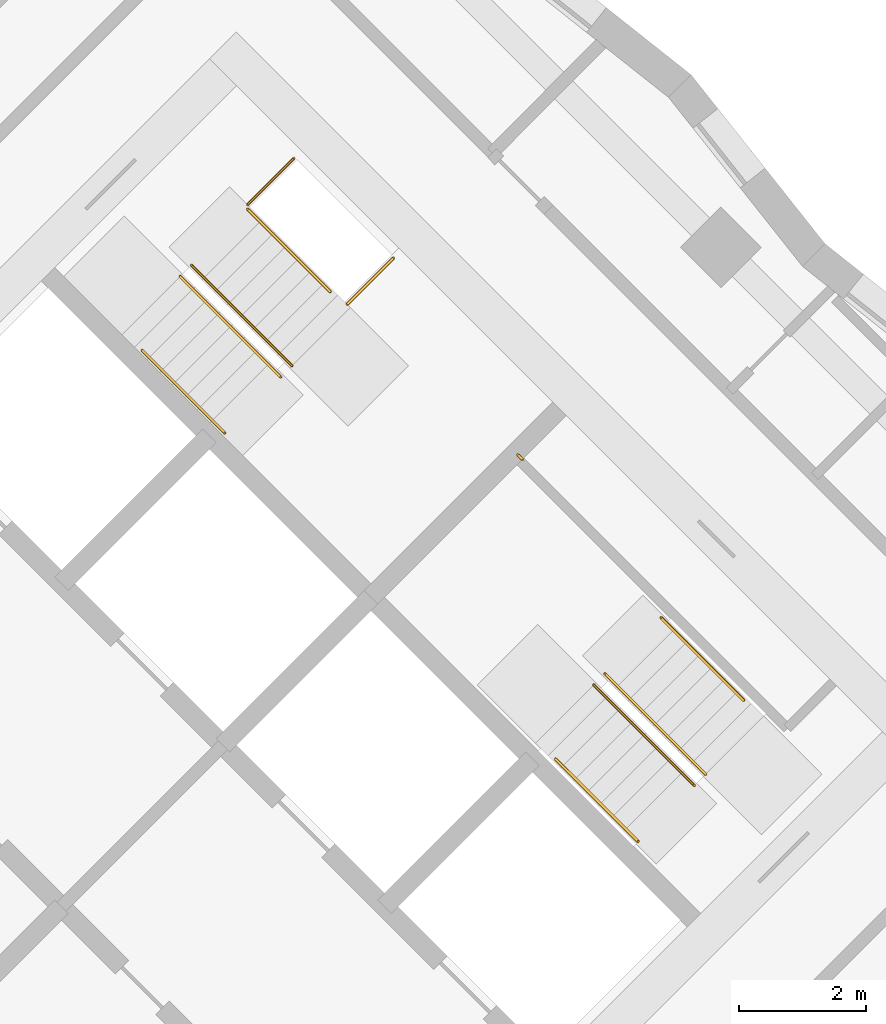
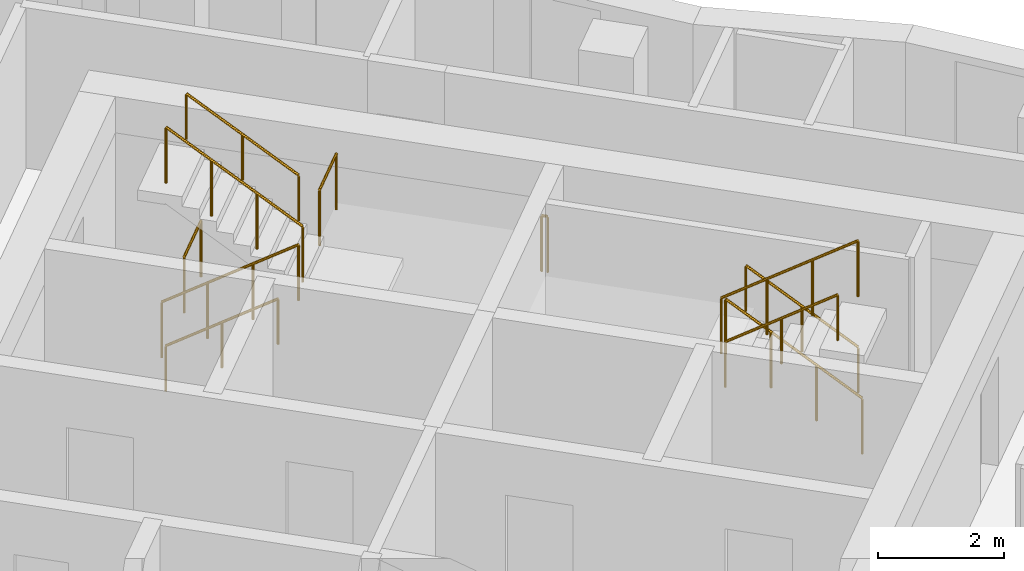
# One storey, part 12 of 12: 11 railings.
"""IFC4 building model written with IfcOpenShell, lengths in metres."""

from ifc_helpers import new_model, si_unit, direction, frame, origin, origin_2d, place, context, subcontext, project, spatial, circle, extrude, material, type_object, element, save


model = new_model("IFC4")

# Units and contexts
model_context = context("Model", 3, precision=1e-05, world=origin(), true_north=direction((0.0, 1.0)))
body_context = subcontext(model_context, "Body", "Model", "MODEL_VIEW")
ifc_project = project(units=[si_unit("LENGTHUNIT", "METRE"), si_unit("AREAUNIT", "SQUARE_METRE"), si_unit("VOLUMEUNIT", "CUBIC_METRE"), si_unit("PLANEANGLEUNIT", "RADIAN"), si_unit("MASSUNIT", "GRAM", prefix="KILO")], contexts=[model_context])

# Site, building, storey
site_placement = place(None, origin())
site = spatial("IfcSite", under=ifc_project, at=site_placement, CompositionType="ELEMENT")
building_placement = place(site_placement, origin())
building = spatial("IfcBuilding", under=site, at=building_placement, Name="Windrow Commons", CompositionType="ELEMENT")
storey_placement = place(building_placement, frame((0.0, 0.0, 145.6)))
storey = spatial("IfcBuildingStorey", under=building, at=storey_placement, Name="L39", CompositionType="ELEMENT", Elevation=145.6)

# Railings
ifc_material_1 = material(Name="Steel S355", Category="steel")
railing_type_1 = type_object("IfcRailingType", Name="Core stair guard 1100", PredefinedType="GUARDRAIL", material=ifc_material_1)
railing_1_placement = place(storey_placement, frame((85.9529, 56.2669, 0.1889)))
element("IfcRailing", 1, at=railing_1_placement, inside=storey, type_object=railing_type_1, Name="L39 ST-B1 stair guard 1", PredefinedType="GUARDRAIL", context=body_context, shape_type="SweptSolid", body=[
    extrude(circle(Radius=0.024, at=origin_2d()), frame((0.0, 0.0, 1.076), z_axis=(0.5861914914, -0.5861914914, 0.5592486664), x_axis=(0.7071067812, 0.7071067812, 0.0)), (0.0, 0.0, 1.0), 2.702),
    extrude(circle(Radius=0.021, at=origin_2d()), origin(), (0.0, 0.0, 1.0), 1.052),
    extrude(circle(Radius=0.021, at=origin_2d()), frame((0.528, -0.528, 0.5037)), (0.0, 0.0, 1.0), 1.052),
    extrude(circle(Radius=0.021, at=origin_2d()), frame((1.0559, -1.0559, 1.0074)), (0.0, 0.0, 1.0), 1.052),
    extrude(circle(Radius=0.021, at=origin_2d()), frame((1.5839, -1.5839, 1.5111)), (0.0, 0.0, 1.0), 1.052),
])
railing_2_placement = place(storey_placement, frame((87.7136, 54.8597, 1.8889)))
element("IfcRailing", 2, at=railing_2_placement, inside=storey, type_object=railing_type_1, Name="L39 ST-B1 stair guard 2", PredefinedType="GUARDRAIL", context=body_context, shape_type="SweptSolid", body=[
    extrude(circle(Radius=0.024, at=origin_2d()), frame((0.0, 0.0, 1.076), z_axis=(-0.5862030657, 0.5862030657, 0.5592244018), x_axis=(-0.7071067812, -0.7071067812, 0.0)), (0.0, 0.0, 1.0), 2.7021),
    extrude(circle(Radius=0.021, at=origin_2d()), origin(), (0.0, 0.0, 1.0), 1.052),
    extrude(circle(Radius=0.021, at=origin_2d()), frame((-0.528, 0.528, 0.5037)), (0.0, 0.0, 1.0), 1.052),
    extrude(circle(Radius=0.021, at=origin_2d()), frame((-1.056, 1.056, 1.0074)), (0.0, 0.0, 1.0), 1.052),
    extrude(circle(Radius=0.021, at=origin_2d()), frame((-1.584, 1.584, 1.5111)), (0.0, 0.0, 1.0), 1.052),
])
railing_3_placement = place(storey_placement, frame((87.0135, 57.3982, 0.0)))
element("IfcRailing", 3, at=railing_3_placement, inside=storey, type_object=railing_type_1, Name="L39 ST-B1 stair guard 3", PredefinedType="GUARDRAIL", context=body_context, shape_type="SweptSolid", body=[
    extrude(circle(Radius=0.024, at=origin_2d()), frame((0.0, 0.0, 1.076), z_axis=(0.7070582378, 0.7071553212, 0.0), x_axis=(-0.7071553212, 0.7070582378, 0.0)), (0.0, 0.0, 1.0), 1.03),
    extrude(circle(Radius=0.021, at=origin_2d()), origin(), (0.0, 0.0, 1.0), 1.052),
    extrude(circle(Radius=0.021, at=origin_2d()), frame((0.7283, 0.7284, 0.0)), (0.0, 0.0, 1.0), 1.052),
])
railing_4_placement = place(storey_placement, frame((88.5833, 55.8285, 1.7)))
element("IfcRailing", 4, at=railing_4_placement, inside=storey, type_object=railing_type_1, Name="L39 ST-B1 stair guard 4", PredefinedType="GUARDRAIL", context=body_context, shape_type="SweptSolid", body=[
    extrude(circle(Radius=0.024, at=origin_2d()), frame((0.0, 0.0, 1.076), z_axis=(0.7071067812, 0.7071067812, 0.0), x_axis=(-0.7071067812, 0.7071067812, 0.0)), (0.0, 0.0, 1.0), 1.03),
    extrude(circle(Radius=0.021, at=origin_2d()), origin(), (0.0, 0.0, 1.0), 1.052),
    extrude(circle(Radius=0.021, at=origin_2d()), frame((0.7283, 0.7283, 0.0)), (0.0, 0.0, 1.0), 1.052),
])
railing_5_placement = place(storey_placement, frame((94.2296, 48.4215, 0.1889)))
element("IfcRailing", 5, at=railing_5_placement, inside=storey, type_object=railing_type_1, Name="L39 ST-B2 stair guard 1", PredefinedType="GUARDRAIL", context=body_context, shape_type="SweptSolid", body=[
    extrude(circle(Radius=0.024, at=origin_2d()), frame((0.0, 0.0, 1.076), z_axis=(-0.5862157828, 0.5861787742, 0.5592365337), x_axis=(-0.7070844598, -0.7071291018, 0.0)), (0.0, 0.0, 1.0), 2.7021),
    extrude(circle(Radius=0.021, at=origin_2d()), origin(), (0.0, 0.0, 1.0), 1.052),
    extrude(circle(Radius=0.021, at=origin_2d()), frame((-0.528, 0.528, 0.5037)), (0.0, 0.0, 1.0), 1.052),
    extrude(circle(Radius=0.021, at=origin_2d()), frame((-1.056, 1.0559, 1.0074)), (0.0, 0.0, 1.0), 1.052),
    extrude(circle(Radius=0.021, at=origin_2d()), frame((-1.584, 1.5839, 1.5111)), (0.0, 0.0, 1.0), 1.052),
])
railing_6_placement = place(storey_placement, frame((92.4689, 49.8287, 1.8889)))
element("IfcRailing", 6, at=railing_6_placement, inside=storey, type_object=railing_type_1, Name="L39 ST-B2 stair guard 2", PredefinedType="GUARDRAIL", context=body_context, shape_type="SweptSolid", body=[
    extrude(circle(Radius=0.024, at=origin_2d()), frame((0.0, 0.0, 1.076), z_axis=(0.5861787742, -0.5862157828, 0.5592365337), x_axis=(0.7071291018, 0.7070844598, 0.0)), (0.0, 0.0, 1.0), 2.7021),
    extrude(circle(Radius=0.021, at=origin_2d()), origin(), (0.0, 0.0, 1.0), 1.052),
    extrude(circle(Radius=0.021, at=origin_2d()), frame((0.528, -0.528, 0.5037)), (0.0, 0.0, 1.0), 1.052),
    extrude(circle(Radius=0.021, at=origin_2d()), frame((1.0559, -1.056, 1.0074)), (0.0, 0.0, 1.0), 1.052),
    extrude(circle(Radius=0.021, at=origin_2d()), frame((1.5839, -1.584, 1.5111)), (0.0, 0.0, 1.0), 1.052),
])
railing_7_placement = place(storey_placement, frame((91.3446, 53.3854, 1.7)))
element("IfcRailing", 7, at=railing_7_placement, inside=storey, type_object=railing_type_1, Name="L39 ST-B2 stair guard 3", PredefinedType="GUARDRAIL", context=body_context, shape_type="SweptSolid", body=[
    extrude(circle(Radius=0.024, at=origin_2d()), frame((0.0, 0.0, 1.076), z_axis=(-0.7076063266, 0.7066068826, 0.0), x_axis=(-0.7066068826, -0.7076063266, 0.0)), (0.0, 0.0, 1.0), 0.1001),
    extrude(circle(Radius=0.021, at=origin_2d()), origin(), (0.0, 0.0, 1.0), 1.052),
    extrude(circle(Radius=0.021, at=origin_2d()), frame((-0.0708, 0.0707, 0.0)), (0.0, 0.0, 1.0), 1.052),
])
ifc_material_2 = material(Name="Steel S355", Category="steel")
railing_type_2 = type_object("IfcRailingType", Name="Core stair handrail 900", PredefinedType="HANDRAIL", material=ifc_material_2)
railing_8_placement = place(storey_placement, frame((85.3518, 55.1001, 0.4587)))
element("IfcRailing", 8, at=railing_8_placement, inside=storey, type_object=railing_type_2, Name="L39 ST-B1 stair handrail 1", PredefinedType="HANDRAIL", context=body_context, shape_type="SweptSolid", body=[
    extrude(circle(Radius=0.024, at=origin_2d()), frame((0.0, 0.0, 0.876), z_axis=(0.586206706, -0.5861616513, 0.5592639952), x_axis=(0.7070796062, 0.7071339551, 0.0)), (0.0, 0.0, 1.0), 2.2195),
    extrude(circle(Radius=0.021, at=origin_2d()), origin(), (0.0, 0.0, 1.0), 0.852),
    extrude(circle(Radius=0.021, at=origin_2d()), frame((0.6506, -0.6505, 0.6207)), (0.0, 0.0, 1.0), 0.852),
    extrude(circle(Radius=0.021, at=origin_2d()), frame((1.3011, -1.301, 1.2413)), (0.0, 0.0, 1.0), 0.852),
])
railing_9_placement = place(storey_placement, frame((88.3146, 56.0265, 2.1587)))
element("IfcRailing", 9, at=railing_9_placement, inside=storey, type_object=railing_type_2, Name="L39 ST-B1 stair handrail 2", PredefinedType="HANDRAIL", context=body_context, shape_type="SweptSolid", body=[
    extrude(circle(Radius=0.024, at=origin_2d()), frame((0.0, 0.0, 0.876), z_axis=(-0.586206706, 0.5861616513, 0.5592639952), x_axis=(-0.7070796062, -0.7071339551, 0.0)), (0.0, 0.0, 1.0), 2.2195),
    extrude(circle(Radius=0.021, at=origin_2d()), origin(), (0.0, 0.0, 1.0), 0.852),
    extrude(circle(Radius=0.021, at=origin_2d()), frame((-0.6506, 0.6505, 0.6206)), (0.0, 0.0, 1.0), 0.852),
    extrude(circle(Radius=0.021, at=origin_2d()), frame((-1.3011, 1.301, 1.2413)), (0.0, 0.0, 1.0), 0.852),
])
railing_10_placement = place(storey_placement, frame((94.8306, 49.5883, 0.4587)))
element("IfcRailing", 10, at=railing_10_placement, inside=storey, type_object=railing_type_2, Name="L39 ST-B2 stair handrail 1", PredefinedType="HANDRAIL", context=body_context, shape_type="SweptSolid", body=[
    extrude(circle(Radius=0.024, at=origin_2d()), frame((0.0, 0.0, 0.876), z_axis=(-0.586206706, 0.5861616513, 0.5592639952), x_axis=(-0.7070796062, -0.7071339551, 0.0)), (0.0, 0.0, 1.0), 2.2195),
    extrude(circle(Radius=0.021, at=origin_2d()), origin(), (0.0, 0.0, 1.0), 0.852),
    extrude(circle(Radius=0.021, at=origin_2d()), frame((-0.6506, 0.6505, 0.6207)), (0.0, 0.0, 1.0), 0.852),
    extrude(circle(Radius=0.021, at=origin_2d()), frame((-1.3011, 1.301, 1.2413)), (0.0, 0.0, 1.0), 0.852),
])
railing_11_placement = place(storey_placement, frame((91.8678, 48.6619, 2.1587)))
element("IfcRailing", 11, at=railing_11_placement, inside=storey, type_object=railing_type_2, Name="L39 ST-B2 stair handrail 2", PredefinedType="HANDRAIL", context=body_context, shape_type="SweptSolid", body=[
    extrude(circle(Radius=0.024, at=origin_2d()), frame((0.0, 0.0, 0.876), z_axis=(0.586206706, -0.5861616513, 0.5592639952), x_axis=(0.7070796062, 0.7071339551, 0.0)), (0.0, 0.0, 1.0), 2.2195),
    extrude(circle(Radius=0.021, at=origin_2d()), origin(), (0.0, 0.0, 1.0), 0.852),
    extrude(circle(Radius=0.021, at=origin_2d()), frame((0.6505, -0.6505, 0.6206)), (0.0, 0.0, 1.0), 0.852),
    extrude(circle(Radius=0.021, at=origin_2d()), frame((1.3011, -1.301, 1.2413)), (0.0, 0.0, 1.0), 0.852),
])

save(model, "model.ifc")
